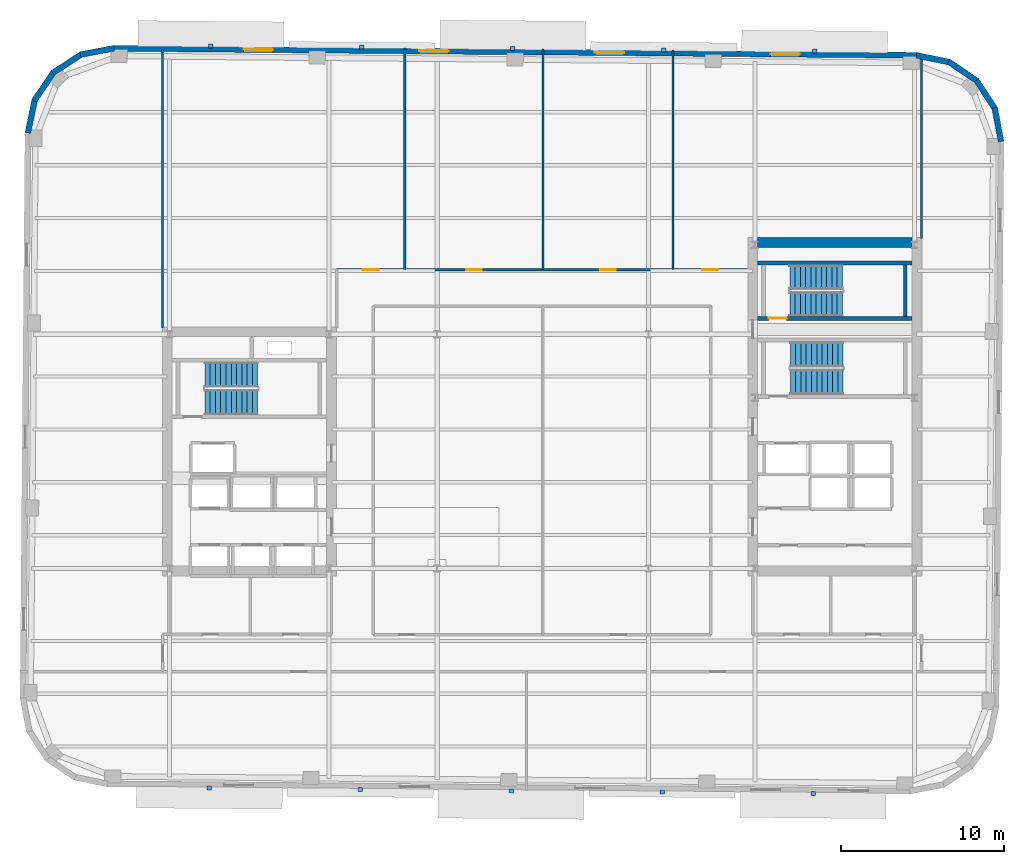
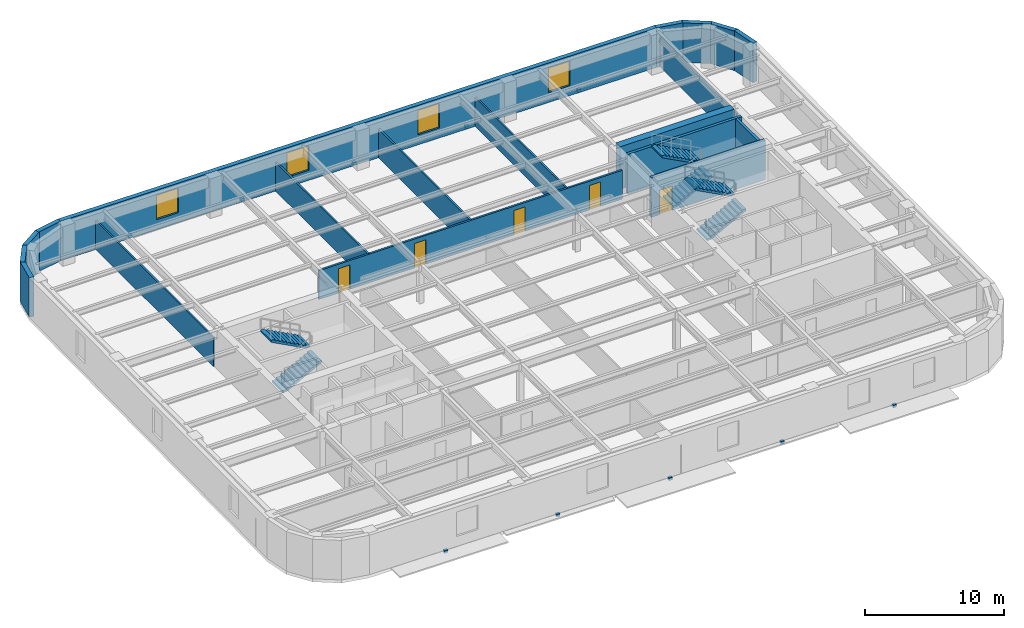
# One storey, part 6 of 10: 19 walls, 10 discrete accessories, 6 stair flights, 5 doors, 4 windows, 9 openings, 3 elements without a shape of their own.
"""IFC4 building model written with IfcOpenShell, lengths in metres."""

import ifcopenshell
import ifcopenshell.guid

model = None  # the IFC model being written
_history = None  # IfcOwnerHistory: only IFC2X3 demands one
_inside = {}  # id of a spatial element -> (the spatial element, [elements in it])
_under = {}  # id of a project, library or spatial element -> (it, [spatial elements below it])
_declared = {}  # id of a project -> (the project, [libraries it declares])
_typed = {}  # id of a type object -> (the type object, [elements of that type])
_made_of = {}  # id of a material, layer set ... -> (it, [elements and type objects made of it])


def new_model(schema):
    """Start an empty IFC model of exactly this schema.

    Asked for "IFC4X3", IfcOpenShell would pick the latest addendum, in which some entities
    have other attributes; the version numbers below select the first issue.
    IFC2X3 requires an IfcOwnerHistory on every rooted entity: one is made here for all.
    """
    global model, _history
    if schema == "IFC4X3":
        model = ifcopenshell.file(schema_version=(4, 3, 0, 0))
    else:
        model = ifcopenshell.file(schema=schema)
    _inside.clear()
    _under.clear()
    _declared.clear()
    _typed.clear()
    _made_of.clear()
    _history = None
    if model.schema == "IFC2X3":
        org = make("IfcOrganization", Name="unknown")
        user = make(
            "IfcPersonAndOrganization",
            ThePerson=make("IfcPerson", FamilyName="unknown"),
            TheOrganization=org,
        )
        app = make(
            "IfcApplication",
            ApplicationDeveloper=org,
            Version="unknown",
            ApplicationFullName="unknown",
            ApplicationIdentifier="unknown",
        )
        _history = make(
            "IfcOwnerHistory",
            OwningUser=user,
            OwningApplication=app,
            ChangeAction="ADDED",
            CreationDate=0,
        )
    return model


def make(cls, **values):
    """One entity of the class cls with the attributes given. An attribute that is None is left unset."""
    return model.create_entity(
        cls, **{name: value for name, value in values.items() if value is not None}
    )


def rooted(cls, **values):
    """An entity with a GlobalId (a new one), such as an element, a storey or a relation."""
    return make(cls, GlobalId=ifcopenshell.guid.new(), OwnerHistory=_history, **values)


def si_unit(unit_type, name, prefix=None):
    """IfcSIUnit, for example si_unit("LENGTHUNIT", "METRE", prefix="MILLI")."""
    return make("IfcSIUnit", UnitType=unit_type, Prefix=prefix, Name=name)


def assignment(units):
    """IfcUnitAssignment: the units of a project."""
    return None if units is None else make("IfcUnitAssignment", Units=units)


def point(xyz):
    """IfcCartesianPoint."""
    return None if xyz is None else make("IfcCartesianPoint", Coordinates=xyz)


def direction(xyz):
    """IfcDirection."""
    return None if xyz is None else make("IfcDirection", DirectionRatios=xyz)


def frame(location, z_axis=None, x_axis=None):
    """IfcAxis2Placement3D, a coordinate frame: its origin and axes. An axis left out is left unset."""
    return make(
        "IfcAxis2Placement3D",
        Location=point(location),
        Axis=direction(z_axis),
        RefDirection=direction(x_axis),
    )


def frame_2d(location, x_axis=None):
    """IfcAxis2Placement2D, a coordinate frame in the plane: its origin and x axis."""
    return make(
        "IfcAxis2Placement2D", Location=point(location), RefDirection=direction(x_axis)
    )


def origin():
    """The frame at (0, 0, 0) with its axes left unset."""
    return frame((0.0, 0.0, 0.0))


def origin_2d():
    """The frame at (0, 0) in the plane with its x axis left unset."""
    return frame_2d((0.0, 0.0))


def place(relative_to, where):
    """IfcLocalPlacement: puts the frame where relative to a parent placement (None: the world)."""
    return make(
        "IfcLocalPlacement", PlacementRelTo=relative_to, RelativePlacement=where
    )


def context(
    kind, dimensions, precision=None, world=None, true_north=None, identifier=None
):
    """IfcGeometricRepresentationContext, for example the 3D "Model" context."""
    return make(
        "IfcGeometricRepresentationContext",
        ContextIdentifier=identifier,
        ContextType=kind,
        CoordinateSpaceDimension=dimensions,
        Precision=precision,
        WorldCoordinateSystem=world,
        TrueNorth=true_north,
    )


def subcontext(parent, identifier, kind, view, scale=None):
    """IfcGeometricRepresentationSubContext, for example "Body" below "Model"."""
    return make(
        "IfcGeometricRepresentationSubContext",
        ContextIdentifier=identifier,
        ContextType=kind,
        ParentContext=parent,
        TargetScale=scale,
        TargetView=view,
    )


def project(units=None, contexts=None):
    """IfcProject with its units and contexts."""
    return rooted(
        "IfcProject",
        Name="project",
        RepresentationContexts=contexts,
        UnitsInContext=assignment(units),
    )


def spatial(cls, under=None, at=None, **own):
    """A site, building, storey or space (cls), placed at a placement, below another one or the project."""
    s = rooted(cls, ObjectPlacement=at, **own)
    if under is not None:
        _under.setdefault(under.id(), (under, []))[1].append(s)
    return s


def polyline(points):
    """IfcPolyline through the points."""
    return make("IfcPolyline", Points=[point(p) for p in points])


def profile(cls, at=None, kind="AREA", **sizes):
    """A parametric profile (cls). Its sizes go by their IFC names, for example OverallWidth=200.0."""
    return make(cls, ProfileType=kind, Position=at, **sizes)


def rectangle(**sizes):
    """IfcRectangleProfileDef."""
    return profile("IfcRectangleProfileDef", **sizes)


def outline(outer, holes=None, kind="AREA"):
    """IfcArbitraryClosedProfileDef: a profile drawn as a closed curve; with holes, ...WithVoids."""
    if holes is None:
        return make("IfcArbitraryClosedProfileDef", ProfileType=kind, OuterCurve=outer)
    return make(
        "IfcArbitraryProfileDefWithVoids",
        ProfileType=kind,
        OuterCurve=outer,
        InnerCurves=holes,
    )


def extrude(swept, where, along, depth):
    """IfcExtrudedAreaSolid: the profile swept, set in the frame where, extruded along a direction by depth."""
    return make(
        "IfcExtrudedAreaSolid",
        SweptArea=swept,
        Position=where,
        ExtrudedDirection=direction(along),
        Depth=depth,
    )


def shape(context_of_items, identifier, shape_type, items):
    """IfcShapeRepresentation: the items that make up one representation, for example the "Body"."""
    return make(
        "IfcShapeRepresentation",
        ContextOfItems=context_of_items,
        RepresentationIdentifier=identifier,
        RepresentationType=shape_type,
        Items=items,
    )


def material(Name=None, Category=None):
    """IfcMaterial."""
    return make("IfcMaterial", Name=Name, Category=Category)


def layer(
    of_material, thickness, ventilated=None, Name=None, Category=None, Priority=None
):
    """IfcMaterialLayer: one layer of a wall or slab, of a material (None: an air gap)."""
    return make(
        "IfcMaterialLayer",
        Material=of_material,
        LayerThickness=thickness,
        IsVentilated=ventilated,
        Name=Name,
        Category=Category,
        Priority=Priority,
    )


def layer_set(layers, Name=None):
    """IfcMaterialLayerSet."""
    return make("IfcMaterialLayerSet", MaterialLayers=layers, LayerSetName=Name)


def made_of(thing, what):
    """Note that an element or type object is made of a material, layer set ...; save() writes the relation."""
    if what is not None:
        _made_of.setdefault(what.id(), (what, []))[1].append(thing)
    return thing


def type_object(cls, material=None, **own):
    """A type object (cls), such as IfcWallType, which elements share."""
    return made_of(rooted(cls, **own), material)


def element(
    cls,
    number,
    at=None,
    inside=None,
    cuts=None,
    type_object=None,
    material=None,
    context=None,
    identifier="Body",
    shape_type=None,
    held_by="IfcProductDefinitionShape",
    body=None,
    shapes=None,
    **own,
):
    """One element of the class cls, such as IfcWall. Its Tag is "e" and its number.

    at: its placement. inside: the storey or other place that contains it. cuts: it is an
    opening in that element (IfcRelVoidsElement). A single representation is given by context,
    identifier, shape_type and body (its items); several are given by shapes. held_by: the class
    of the entity that holds the representations. save() writes the other relations.
    """
    e = rooted(cls, Tag="e%d" % number, ObjectPlacement=at, **own)
    if body is not None:
        shapes = [shape(context, identifier, shape_type, body)]
    if shapes is not None:
        e.Representation = make(held_by, Representations=shapes)
    if inside is not None:
        _inside.setdefault(inside.id(), (inside, []))[1].append(e)
    if cuts is not None:
        rooted(
            "IfcRelVoidsElement", RelatingBuildingElement=cuts, RelatedOpeningElement=e
        )
    if type_object is not None:
        _typed.setdefault(type_object.id(), (type_object, []))[1].append(e)
    return made_of(e, material)


def fill(opening, filler):
    """IfcRelFillsElement: the door or window that sits in an opening."""
    return rooted(
        "IfcRelFillsElement",
        RelatingOpeningElement=opening,
        RelatedBuildingElement=filler,
    )


def aggregate(whole, parts):
    """IfcRelAggregates: a whole, such as a stair, and the parts it consists of."""
    return rooted("IfcRelAggregates", RelatingObject=whole, RelatedObjects=parts)


def save(model, path):
    """Write the relations noted so far, then the file.

    IfcRelAggregates (storeys below a building ...), IfcRelContainedInSpatialStructure (elements
    in a storey), IfcRelDefinesByType, IfcRelAssociatesMaterial and IfcRelDeclares: one each for
    every whole, place, type object, material and project.
    """
    for whole, parts in _under.values():
        aggregate(whole, parts)
    for where, things in _inside.values():
        rooted(
            "IfcRelContainedInSpatialStructure",
            RelatedElements=things,
            RelatingStructure=where,
        )
    for kind, things in _typed.values():
        rooted("IfcRelDefinesByType", RelatedObjects=things, RelatingType=kind)
    for what, things in _made_of.values():
        rooted("IfcRelAssociatesMaterial", RelatedObjects=things, RelatingMaterial=what)
    for by, libraries in _declared.values():
        rooted("IfcRelDeclares", RelatingContext=by, RelatedDefinitions=libraries)
    model.write(path)


model = new_model("IFC4")

# Units and contexts
model_context = context("Model", 3, precision=1e-05, world=origin(), true_north=direction((0.0, 1.0)))
body_context = subcontext(model_context, "Body", "Model", "MODEL_VIEW")
ifc_project = project(units=[si_unit("LENGTHUNIT", "METRE"), si_unit("AREAUNIT", "SQUARE_METRE"), si_unit("VOLUMEUNIT", "CUBIC_METRE"), si_unit("PLANEANGLEUNIT", "RADIAN"), si_unit("MASSUNIT", "GRAM", prefix="KILO")], contexts=[model_context])

# Site, building, storey
site_placement = place(None, origin())
site = spatial("IfcSite", under=ifc_project, at=site_placement, CompositionType="ELEMENT")
building_placement = place(site_placement, origin())
building = spatial("IfcBuilding", under=site, at=building_placement, Name="Kolvaren Arena Tower", CompositionType="ELEMENT")
storey_placement = place(building_placement, frame((0.0, 0.0, 192.199951171875)))
storey = spatial("IfcBuildingStorey", under=building, at=storey_placement, Name="L46", CompositionType="ELEMENT", Elevation=192.199951171875)

# Wall, openings, doors
ifc_material_1 = material(Name="Gypsum board acoustic assembly", Category="gypsum")
ifc_layer_1 = layer(ifc_material_1, 0.159912109375)
ifc_layer_set_1 = layer_set([ifc_layer_1], Name="Gypsum board acoustic assembly")
wall_type_1 = type_object("IfcWallType", Name="CORR-160", PredefinedType="PARTITIONING", material=ifc_layer_set_1)
wall_1_placement = place(storey_placement, frame((24.820068359375, 37.820068359375, 0.0), z_axis=(0.0, 0.0, 1.0), x_axis=(1.0, 0.0, 0.0)))
wall_1 = element("IfcWall", 1, at=wall_1_placement, inside=storey, type_object=wall_type_1, Name="Interior Partition Wall (L46)", PredefinedType="PARTITIONING", context=body_context, shape_type="SweptSolid", body=[
    extrude(rectangle(XDim=25.260009765625, YDim=0.159912109375, at=frame_2d((12.6298828125, 0.0))), origin(), (0.0, 0.0, 1.0), 2.5400390625),
])
opening_1_placement = place(wall_1_placement, frame((1.6298828125, 0.0, 0.0)))
opening_1 = element("IfcOpeningElement", 2, at=opening_1_placement, cuts=wall_1, Name="Opening D05", PredefinedType="OPENING", context=body_context, shape_type="SweptSolid", body=[
    extrude(rectangle(XDim=0.949951171875, YDim=2.14990234375, at=frame_2d((0.47509765625, 1.074951171875))), frame((0.0, 0.08984375, 0.0), z_axis=(0.0, -1.0, 0.0), x_axis=(1.0, 0.0, 0.0)), (0.0, 0.0, 1.0), 0.179931640625),
])
opening_2_placement = place(wall_1_placement, frame((7.955078125, 0.0, 0.0)))
opening_2 = element("IfcOpeningElement", 3, at=opening_2_placement, cuts=wall_1, Name="Opening D05", PredefinedType="OPENING", context=body_context, shape_type="SweptSolid", body=[
    extrude(rectangle(XDim=0.949951171875, YDim=2.14990234375, at=frame_2d((0.47509765625, 1.074951171875))), frame((0.0, 0.08984375, 0.0), z_axis=(0.0, -1.0, 0.0), x_axis=(1.0, 0.0, 0.0)), (0.0, 0.0, 1.0), 0.179931640625),
])
opening_3_placement = place(wall_1_placement, frame((16.205078125, 0.0, 0.0)))
opening_3 = element("IfcOpeningElement", 4, at=opening_3_placement, cuts=wall_1, Name="Opening D05", PredefinedType="OPENING", context=body_context, shape_type="SweptSolid", body=[
    extrude(rectangle(XDim=0.949951171875, YDim=2.14990234375, at=frame_2d((0.47509765625, 1.074951171875))), frame((0.0, 0.08984375, 0.0), z_axis=(0.0, -1.0, 0.0), x_axis=(1.0, 0.0, 0.0)), (0.0, 0.0, 1.0), 0.179931640625),
])
opening_4_placement = place(wall_1_placement, frame((22.47998046875, 0.0, 0.0)))
opening_4 = element("IfcOpeningElement", 5, at=opening_4_placement, cuts=wall_1, Name="Opening D05", PredefinedType="OPENING", context=body_context, shape_type="SweptSolid", body=[
    extrude(rectangle(XDim=0.949951171875, YDim=2.14990234375, at=frame_2d((0.47509765625, 1.074951171875))), frame((0.0, 0.08984375, 0.0), z_axis=(0.0, -1.0, 0.0), x_axis=(1.0, 0.0, 0.0)), (0.0, 0.0, 1.0), 0.179931640625),
])
ifc_material_2 = material(Name="Solid-core oak acoustic office door", Category="wood")
door_type_1 = type_object("IfcDoorType", Name="DOOR-OF-095", OperationType="NOTDEFINED", PredefinedType="DOOR", material=ifc_material_2)
door_1_placement = place(opening_1_placement, origin())
door_1 = element("IfcDoor", 6, at=door_1_placement, inside=storey, type_object=door_type_1, Name="Wellness Room Door (L46)", OperationType="SINGLE_SWING_RIGHT", OverallHeight=2.14990234375, OverallWidth=0.949951171875, PredefinedType="DOOR", context=body_context, shape_type="SweptSolid", body=[
    extrude(rectangle(XDim=0.949951171875, YDim=2.14990234375, at=frame_2d((0.47509765625, 1.074951171875))), frame((0.0, 0.02490234375, 0.0), z_axis=(0.0, -1.0, 0.0), x_axis=(1.0, 0.0, 0.0)), (0.0, 0.0, 1.0), 0.050048828125),
])
fill(opening_1, door_1)
door_2_placement = place(opening_2_placement, origin())
door_2 = element("IfcDoor", 7, at=door_2_placement, inside=storey, type_object=door_type_1, Name="Corporate Project Office Door (L46)", OperationType="SINGLE_SWING_LEFT", OverallHeight=2.14990234375, OverallWidth=0.949951171875, PredefinedType="DOOR", context=body_context, shape_type="SweptSolid", body=[
    extrude(rectangle(XDim=0.949951171875, YDim=2.14990234375, at=frame_2d((0.47509765625, 1.074951171875))), frame((0.0, 0.02490234375, 0.0), z_axis=(0.0, -1.0, 0.0), x_axis=(1.0, 0.0, 0.0)), (0.0, 0.0, 1.0), 0.050048828125),
])
fill(opening_2, door_2)
door_3_placement = place(opening_3_placement, origin())
door_3 = element("IfcDoor", 8, at=door_3_placement, inside=storey, type_object=door_type_1, Name="Breakout Pantry and Kitchen Door (L46)", OperationType="SINGLE_SWING_RIGHT", OverallHeight=2.14990234375, OverallWidth=0.949951171875, PredefinedType="DOOR", context=body_context, shape_type="SweptSolid", body=[
    extrude(rectangle(XDim=0.949951171875, YDim=2.14990234375, at=frame_2d((0.47509765625, 1.074951171875))), frame((0.0, 0.02490234375, 0.0), z_axis=(0.0, -1.0, 0.0), x_axis=(1.0, 0.0, 0.0)), (0.0, 0.0, 1.0), 0.050048828125),
])
fill(opening_3, door_3)
door_4_placement = place(opening_4_placement, origin())
door_4 = element("IfcDoor", 9, at=door_4_placement, inside=storey, type_object=door_type_1, Name="Training Seminar Room Door (L46)", OperationType="SINGLE_SWING_LEFT", OverallHeight=2.14990234375, OverallWidth=0.949951171875, PredefinedType="DOOR", context=body_context, shape_type="SweptSolid", body=[
    extrude(rectangle(XDim=0.949951171875, YDim=2.14990234375, at=frame_2d((0.47509765625, 1.074951171875))), frame((0.0, 0.02490234375, 0.0), z_axis=(0.0, -1.0, 0.0), x_axis=(1.0, 0.0, 0.0)), (0.0, 0.0, 1.0), 0.050048828125),
])
fill(opening_4, door_4)

# Walls
ifc_material_3 = material(Name="Concrete 60 MPa", Category="concrete")
ifc_layer_2 = layer(ifc_material_3, 0.60009765625)
ifc_layer_set_2 = layer_set([ifc_layer_2], Name="Concrete 60 MPa")
wall_type_2 = type_object("IfcWallType", Name="CWALL-600", PredefinedType="SHEAR", material=ifc_layer_set_2)
wall_2_placement = place(storey_placement, frame((50.699951171875, 39.5, -0.27001953125), z_axis=(0.0, 0.0, 1.0), x_axis=(1.0, 0.0, 0.0)))
element("IfcWall", 10, at=wall_2_placement, inside=storey, type_object=wall_type_2, Name="Core Shear Wall EC-NORTH (L46)", PredefinedType="SHEAR", context=body_context, shape_type="SweptSolid", body=[
    extrude(rectangle(XDim=9.5, YDim=0.60009765625, at=frame_2d((4.75, 0.0))), origin(), (0.0, 0.0, 1.0), 3.75),
])
ifc_material_4 = material(Name="Precast concrete C50/60", Category="concrete")
ifc_layer_3 = layer(ifc_material_4, 0.360107421875)
ifc_layer_set_3 = layer_set([ifc_layer_3], Name="Precast concrete C50/60")
wall_type_3 = type_object("IfcWallType", Name="EXT-PIER2", PredefinedType="SOLIDWALL", material=ifc_layer_set_3)
wall_3_placement = place(storey_placement, frame((65.281005859375, 47.773193359375, 0.0), z_axis=(0.0, 0.0, 1.0), x_axis=(0.186435855703, -0.98246713518, 0.0)))
element("IfcWall", 11, at=wall_3_placement, inside=storey, type_object=wall_type_3, Name="Exterior Precast Masonry-Frame Wall (L46)", PredefinedType="SOLIDWALL", context=body_context, shape_type="SweptSolid", body=[
    extrude(rectangle(XDim=2.10693359375, YDim=0.360107421875, at=frame_2d((1.053466796875, 0.0))), origin(), (0.0, 0.0, 1.0), 3.47998046875),
])
wall_4_placement = place(storey_placement, frame((64.152099609375, 49.469970703125, 0.0), z_axis=(0.0, 0.0, 1.0), x_axis=(0.548238722478, -0.83632188969, 0.0)))
element("IfcWall", 12, at=wall_4_placement, inside=storey, type_object=wall_type_3, Name="Exterior Precast Masonry-Frame Wall (L46)", PredefinedType="SOLIDWALL", context=body_context, shape_type="SweptSolid", body=[
    extrude(rectangle(XDim=2.106689453125, YDim=0.360107421875, at=frame_2d((1.05322265625, 0.0))), origin(), (0.0, 0.0, 1.0), 3.47998046875),
])
wall_5_placement = place(storey_placement, frame((62.45947265625, 50.605712890625, 0.0), z_axis=(0.0, 0.0, 1.0), x_axis=(0.826609569219, -0.56277581689, 0.0)))
element("IfcWall", 13, at=wall_5_placement, inside=storey, type_object=wall_type_3, Name="Exterior Precast Masonry-Frame Wall (L46)", PredefinedType="SOLIDWALL", context=body_context, shape_type="SweptSolid", body=[
    extrude(rectangle(XDim=2.10693359375, YDim=0.360107421875, at=frame_2d((1.053466796875, 0.0))), origin(), (0.0, 0.0, 1.0), 3.47998046875),
])
wall_6_placement = place(storey_placement, frame((60.461181640625, 51.00732421875, 0.0), z_axis=(0.0, 0.0, 1.0), x_axis=(0.979059388908, -0.203574833883, 0.0)))
element("IfcWall", 14, at=wall_6_placement, inside=storey, type_object=wall_type_3, Name="Exterior Precast Masonry-Frame Wall (L46)", PredefinedType="SOLIDWALL", context=body_context, shape_type="SweptSolid", body=[
    extrude(rectangle(XDim=2.107177734375, YDim=0.360107421875, at=frame_2d((1.0537109375, 0.0))), origin(), (0.0, 0.0, 1.0), 3.47998046875),
])

# Wall, openings, windows
wall_7_placement = place(storey_placement, frame((11.098388671875, 51.434814453125, 0.0), z_axis=(0.0, 0.0, 1.0), x_axis=(0.99996191194, -0.008727810138, 0.0)))
wall_7 = element("IfcWall", 15, at=wall_7_placement, inside=storey, type_object=wall_type_3, Name="Exterior Precast Masonry-Frame Wall (L46)", PredefinedType="SOLIDWALL", context=body_context, shape_type="SweptSolid", body=[
    extrude(rectangle(XDim=49.39990234375, YDim=0.360107421875, at=frame_2d((24.699951171875, 0.0))), origin(), (0.0, 0.0, 1.0), 3.47998046875),
])
opening_5_placement = place(wall_7_placement, frame((8.0, 0.0, 0.8798828125)))
opening_5 = element("IfcOpeningElement", 16, at=opening_5_placement, cuts=wall_7, Name="Opening W02", PredefinedType="OPENING", context=body_context, shape_type="SweptSolid", body=[
    extrude(rectangle(XDim=1.800048828125, YDim=2.14990234375, at=frame_2d((0.89990234375, 1.074951171875))), frame((0.0, 0.18994140625, 0.0), z_axis=(0.0, -1.0, 0.0), x_axis=(1.0, 0.0, 0.0)), (0.0, 0.0, 1.0), 0.380126953125),
])
opening_6_placement = place(wall_7_placement, frame((18.800048828125, 0.0, 0.8798828125)))
opening_6 = element("IfcOpeningElement", 17, at=opening_6_placement, cuts=wall_7, Name="Opening W02", PredefinedType="OPENING", context=body_context, shape_type="SweptSolid", body=[
    extrude(rectangle(XDim=1.800048828125, YDim=2.14990234375, at=frame_2d((0.89990234375, 1.074951171875))), frame((0.0, 0.18994140625, 0.0), z_axis=(0.0, -1.0, 0.0), x_axis=(1.0, 0.0, 0.0)), (0.0, 0.0, 1.0), 0.380126953125),
])
opening_7_placement = place(wall_7_placement, frame((29.60009765625, 0.0, 0.8798828125)))
opening_7 = element("IfcOpeningElement", 18, at=opening_7_placement, cuts=wall_7, Name="Opening W02", PredefinedType="OPENING", context=body_context, shape_type="SweptSolid", body=[
    extrude(rectangle(XDim=1.800048828125, YDim=2.14990234375, at=frame_2d((0.89990234375, 1.074951171875))), frame((0.0, 0.18994140625, 0.0), z_axis=(0.0, -1.0, 0.0), x_axis=(1.0, 0.0, 0.0)), (0.0, 0.0, 1.0), 0.380126953125),
])
opening_8_placement = place(wall_7_placement, frame((40.39990234375, 0.0, 0.8798828125)))
opening_8 = element("IfcOpeningElement", 19, at=opening_8_placement, cuts=wall_7, Name="Opening W02", PredefinedType="OPENING", context=body_context, shape_type="SweptSolid", body=[
    extrude(rectangle(XDim=1.800048828125, YDim=2.14990234375, at=frame_2d((0.89990234375, 1.074951171875))), frame((0.0, 0.18994140625, 0.0), z_axis=(0.0, -1.0, 0.0), x_axis=(1.0, 0.0, 0.0)), (0.0, 0.0, 1.0), 0.380126953125),
])
ifc_material_5 = material(Name="Triple-glazed low-E aluminium window", Category="aluminium")
window_type = type_object("IfcWindowType", Name="WIN-OFF-B", PartitioningType="DOUBLE_PANEL_VERTICAL", PredefinedType="WINDOW", material=ifc_material_5)
window_1_placement = place(opening_5_placement, origin())
window_1 = element("IfcWindow", 20, at=window_1_placement, inside=storey, type_object=window_type, Name="Punched Precast-Pier Window (L46)", OverallHeight=2.14990234375, OverallWidth=1.800048828125, PartitioningType="DOUBLE_PANEL_VERTICAL", PredefinedType="WINDOW", context=body_context, shape_type="SweptSolid", body=[
    extrude(rectangle(XDim=1.800048828125, YDim=2.14990234375, at=frame_2d((0.89990234375, 1.074951171875))), frame((0.0, 0.030029296875, 0.0), z_axis=(0.0, -1.0, 0.0), x_axis=(1.0, 0.0, 0.0)), (0.0, 0.0, 1.0), 0.06005859375),
])
fill(opening_5, window_1)
window_2_placement = place(opening_6_placement, origin())
window_2 = element("IfcWindow", 21, at=window_2_placement, inside=storey, type_object=window_type, Name="Punched Precast-Pier Window (L46)", OverallHeight=2.14990234375, OverallWidth=1.800048828125, PartitioningType="DOUBLE_PANEL_VERTICAL", PredefinedType="WINDOW", context=body_context, shape_type="SweptSolid", body=[
    extrude(rectangle(XDim=1.800048828125, YDim=2.14990234375, at=frame_2d((0.89990234375, 1.074951171875))), frame((0.0, 0.030029296875, 0.0), z_axis=(0.0, -1.0, 0.0), x_axis=(1.0, 0.0, 0.0)), (0.0, 0.0, 1.0), 0.06005859375),
])
fill(opening_6, window_2)
window_3_placement = place(opening_7_placement, origin())
window_3 = element("IfcWindow", 22, at=window_3_placement, inside=storey, type_object=window_type, Name="Punched Precast-Pier Window (L46)", OverallHeight=2.14990234375, OverallWidth=1.800048828125, PartitioningType="DOUBLE_PANEL_VERTICAL", PredefinedType="WINDOW", context=body_context, shape_type="SweptSolid", body=[
    extrude(rectangle(XDim=1.800048828125, YDim=2.14990234375, at=frame_2d((0.89990234375, 1.074951171875))), frame((0.0, 0.030029296875, 0.0), z_axis=(0.0, -1.0, 0.0), x_axis=(1.0, 0.0, 0.0)), (0.0, 0.0, 1.0), 0.06005859375),
])
fill(opening_7, window_3)
window_4_placement = place(opening_8_placement, origin())
window_4 = element("IfcWindow", 23, at=window_4_placement, inside=storey, type_object=window_type, Name="Punched Precast-Pier Window (L46)", OverallHeight=2.14990234375, OverallWidth=1.800048828125, PartitioningType="DOUBLE_PANEL_VERTICAL", PredefinedType="WINDOW", context=body_context, shape_type="SweptSolid", body=[
    extrude(rectangle(XDim=1.800048828125, YDim=2.14990234375, at=frame_2d((0.89990234375, 1.074951171875))), frame((0.0, 0.030029296875, 0.0), z_axis=(0.0, -1.0, 0.0), x_axis=(1.0, 0.0, 0.0)), (0.0, 0.0, 1.0), 0.06005859375),
])
fill(opening_8, window_4)

# Walls
wall_8_placement = place(storey_placement, frame((9.0634765625, 51.044921875, 0.0), z_axis=(0.0, 0.0, 1.0), x_axis=(0.982445905584, 0.186547695246, 0.0)))
element("IfcWall", 24, at=wall_8_placement, inside=storey, type_object=wall_type_3, Name="Exterior Precast Masonry-Frame Wall (L46)", PredefinedType="SOLIDWALL", context=body_context, shape_type="SweptSolid", body=[
    extrude(rectangle(XDim=2.107177734375, YDim=0.360107421875, at=frame_2d((1.0537109375, 0.0))), origin(), (0.0, 0.0, 1.0), 3.47998046875),
])
for number, where, z_axis, x_axis, name in (
    (25, (7.36669921875, 49.916015625, 0.0), (0.0, 0.0, 1.0), (0.836268756678, 0.548319766745, 0.0), "Exterior Precast Masonry-Frame Wall (L46)"),
    (26, (6.23095703125, 48.223388671875, 0.0), (0.0, 0.0, 1.0), (0.56277581689, 0.826609569219, 0.0), "Exterior Precast Masonry-Frame Wall (L46)"),
    (27, (5.8291015625, 46.225341796875, 0.0), (0.0, 0.0, 1.0), (0.203709000552, 0.979031482177, 0.0), "Exterior Precast Masonry-Frame Wall (L46)"),
):
    element("IfcWall", number, at=place(storey_placement, frame(where, z_axis=z_axis, x_axis=x_axis)), inside=storey, type_object=wall_type_3, Name=name, PredefinedType="SOLIDWALL", context=body_context, shape_type="SweptSolid", body=[
        extrude(rectangle(XDim=2.10693359375, YDim=0.360107421875, at=frame_2d((1.053466796875, 0.0))), origin(), (0.0, 0.0, 1.0), 3.47998046875),
    ])
ifc_material_6 = material(Name="Gypsum board partition assembly", Category="gypsum")
ifc_layer_4 = layer(ifc_material_6, 0.135009765625)
ifc_layer_set_4 = layer_set([ifc_layer_4], Name="Gypsum board partition assembly")
wall_type_4 = type_object("IfcWallType", Name="PART-135", PredefinedType="PARTITIONING", material=ifc_layer_set_4)
wall_9_placement = place(storey_placement, frame((29.0, 37.820068359375, 0.0), z_axis=(0.0, 0.0, 1.0), x_axis=(0.0, 1.0, 0.0)))
element("IfcWall", 28, at=wall_9_placement, inside=storey, type_object=wall_type_4, Name="Interior Partition Wall (L46)", PredefinedType="PARTITIONING", context=body_context, shape_type="SweptSolid", body=[
    extrude(rectangle(XDim=13.638427734375, YDim=0.135009765625, at=frame_2d((6.8193359375, 0.0))), origin(), (0.0, 0.0, 1.0), 2.5400390625),
])
wall_10_placement = place(storey_placement, frame((37.5, 37.820068359375, 0.0), z_axis=(0.0, 0.0, 1.0), x_axis=(0.0, 1.0, 0.0)))
element("IfcWall", 29, at=wall_10_placement, inside=storey, type_object=wall_type_4, Name="Interior Partition Wall (L46)", PredefinedType="PARTITIONING", context=body_context, shape_type="SweptSolid", body=[
    extrude(rectangle(XDim=13.564208984375, YDim=0.135009765625, at=frame_2d((6.7822265625, 0.0))), origin(), (0.0, 0.0, 1.0), 2.5400390625),
])
wall_11_placement = place(storey_placement, frame((45.5, 37.820068359375, 0.0), z_axis=(0.0, 0.0, 1.0), x_axis=(0.0, 1.0, 0.0)))
element("IfcWall", 30, at=wall_11_placement, inside=storey, type_object=wall_type_4, Name="Interior Partition Wall (L46)", PredefinedType="PARTITIONING", context=body_context, shape_type="SweptSolid", body=[
    extrude(rectangle(XDim=13.494384765625, YDim=0.135009765625, at=frame_2d((6.7470703125, 0.0))), origin(), (0.0, 0.0, 1.0), 2.5400390625),
])
wall_12_placement = place(storey_placement, frame((14.1201171875, 34.25, 0.0), z_axis=(0.0, 0.0, 1.0), x_axis=(0.0, 1.0, 0.0)))
element("IfcWall", 31, at=wall_12_placement, inside=storey, type_object=wall_type_4, Name="Interior Partition Wall (L46)", PredefinedType="PARTITIONING", context=body_context, shape_type="SweptSolid", body=[
    extrude(rectangle(XDim=17.098388671875, YDim=0.135009765625, at=frame_2d((8.54931640625, 0.0))), origin(), (0.0, 0.0, 1.0), 2.5400390625),
])
wall_13_placement = place(storey_placement, frame((60.780029296875, 39.75, 0.0), z_axis=(0.0, 0.0, 1.0), x_axis=(0.0, 1.0, 0.0)))
element("IfcWall", 32, at=wall_13_placement, inside=storey, type_object=wall_type_4, Name="Interior Partition Wall (L46)", PredefinedType="PARTITIONING", context=body_context, shape_type="SweptSolid", body=[
    extrude(rectangle(XDim=11.1298828125, YDim=0.135009765625, at=frame_2d((5.56494140625, 0.0))), origin(), (0.0, 0.0, 1.0), 2.5400390625),
])

# Wall, opening, door
ifc_material_7 = material(Name="Concrete 45 MPa", Category="concrete")
ifc_layer_5 = layer(ifc_material_7, 0.25)
ifc_layer_set_5 = layer_set([ifc_layer_5], Name="Concrete 45 MPa")
wall_type_5 = type_object("IfcWallType", Name="SHAFT-250", PredefinedType="SOLIDWALL", material=ifc_layer_set_5)
wall_14_placement = place(storey_placement, frame((60.199951171875, 34.830078125, 0.0), z_axis=(0.0, 0.0, 1.0), x_axis=(-1.0, 0.0, 0.0)))
wall_14 = element("IfcWall", 33, at=wall_14_placement, inside=storey, type_object=wall_type_5, Name="Core Shaft Wall (L46)", PredefinedType="SOLIDWALL", context=body_context, shape_type="SweptSolid", body=[
    extrude(rectangle(XDim=9.5, YDim=0.239990234375, at=frame_2d((4.75, 0.0))), origin(), (0.0, 0.0, 1.0), 3.47998046875),
])
opening_9_placement = place(wall_14_placement, frame((7.719970703125, 0.0, 0.0)))
opening_9 = element("IfcOpeningElement", 34, at=opening_9_placement, cuts=wall_14, Name="Opening D03", PredefinedType="OPENING", context=body_context, shape_type="SweptSolid", body=[
    extrude(rectangle(XDim=1.10009765625, YDim=2.14990234375, at=frame_2d((0.550048828125, 1.074951171875))), frame((0.0, 0.1298828125, 0.0), z_axis=(0.0, -1.0, 0.0), x_axis=(1.0, 0.0, 0.0)), (0.0, 0.0, 1.0), 0.260009765625),
])
ifc_material_8 = material(Name="Fire-rated steel exit stair door", Category="steel")
door_type_2 = type_object("IfcDoorType", Name="DOOR-ST-110", OperationType="NOTDEFINED", PredefinedType="DOOR", material=ifc_material_8)
door_5_placement = place(opening_9_placement, origin())
door_5 = element("IfcDoor", 35, at=door_5_placement, inside=storey, type_object=door_type_2, Name="Stair ST-E2 Fire Door (L46)", OperationType="SINGLE_SWING_LEFT", OverallHeight=2.14990234375, OverallWidth=1.10009765625, PredefinedType="DOOR", context=body_context, shape_type="SweptSolid", body=[
    extrude(rectangle(XDim=1.10009765625, YDim=2.14990234375, at=frame_2d((0.550048828125, 1.074951171875))), frame((0.0, 0.02490234375, 0.0), z_axis=(0.0, -1.0, 0.0), x_axis=(1.0, 0.0, 0.0)), (0.0, 0.0, 1.0), 0.050048828125),
])
fill(opening_9, door_5)

# Walls
wall_15_placement = place(storey_placement, frame((50.699951171875, 38.219970703125, 0.0), z_axis=(0.0, 0.0, 1.0), x_axis=(1.0, 0.0, 0.0)))
element("IfcWall", 36, at=wall_15_placement, inside=storey, type_object=wall_type_5, Name="Core Shaft Wall (L46)", PredefinedType="SOLIDWALL", context=body_context, shape_type="SweptSolid", body=[
    extrude(rectangle(XDim=9.5, YDim=0.239990234375, at=frame_2d((4.75, 0.0))), origin(), (0.0, 0.0, 1.0), 3.47998046875),
])
wall_16_placement = place(storey_placement, frame((59.780029296875, 34.949951171875, 0.0), z_axis=(0.0, 0.0, 1.0), x_axis=(0.0, 1.0, 0.0)))
element("IfcWall", 37, at=wall_16_placement, inside=storey, type_object=wall_type_5, Name="Core Shaft Wall (L46)", PredefinedType="SOLIDWALL", context=body_context, shape_type="SweptSolid", body=[
    extrude(rectangle(XDim=3.150146484375, YDim=0.239990234375, at=frame_2d((1.5751953125, 0.0))), origin(), (0.0, 0.0, 1.0), 3.47998046875),
])

# Stair, stair flights
stair_type_1 = type_object("IfcStairType", Name="STAIR-CORE-150", PredefinedType="HALF_TURN_STAIR", material=ifc_material_7)
stair_1_placement = place(storey_placement, origin())
stair_1 = element("IfcStair", 38, at=stair_1_placement, inside=storey, type_object=stair_type_1, Name="L46 ST-E2", PredefinedType="HALF_TURN_STAIR")
stair_flight_type_1 = type_object("IfcStairFlightType", Name="FLT-150", PredefinedType="STRAIGHT", material=ifc_material_7)
stair_flight_1_placement = place(storey_placement, frame((52.679931640625, 35.699951171875, 0.0), z_axis=(0.0, 0.0, 1.0), x_axis=(1.0, 0.0, 0.0)))
stair_flight_1 = element("IfcStairFlight", 39, at=stair_flight_1_placement, type_object=stair_flight_type_1, Name="ST-E2 flight 1", NumberOfRisers=11, NumberOfTreads=10, PredefinedType="STRAIGHT", RiserHeight=0.170454545, TreadLength=0.324, context=body_context, shape_type="SweptSolid", body=[
    extrude(outline(polyline([(0.0, 0.0), (0.0, 0.17041015625), (0.323974609375, 0.17041015625), (0.323974609375, 0.3408203125), (0.64794921875, 0.3408203125), (0.64794921875, 0.511474609375), (0.971923828125, 0.511474609375), (0.971923828125, 0.681884765625), (1.2958984375, 0.681884765625), (1.2958984375, 0.852294921875), (1.6201171875, 0.852294921875), (1.6201171875, 1.022705078125), (1.944091796875, 1.022705078125), (1.944091796875, 1.193115234375), (2.26806640625, 1.193115234375), (2.26806640625, 1.363525390625), (2.592041015625, 1.363525390625), (2.592041015625, 1.5341796875), (2.916015625, 1.5341796875), (2.916015625, 1.70458984375), (3.239990234375, 1.70458984375), (3.239990234375, 1.875), (3.239990234375, 1.53515625), (0.322021484375, 0.0), (0.0, 0.0)])), frame((0.0, 0.75, 0.0), z_axis=(0.0, -1.0, 0.0), x_axis=(1.0, 0.0, 0.0)), (0.0, 0.0, 1.0), 1.5),
])
stair_flight_2_placement = place(storey_placement, frame((55.919921875, 37.35009765625, 1.875), z_axis=(0.0, 0.0, 1.0), x_axis=(-1.0, 0.0, 0.0)))
stair_flight_2 = element("IfcStairFlight", 40, at=stair_flight_2_placement, type_object=stair_flight_type_1, Name="ST-E2 flight 2", NumberOfRisers=11, NumberOfTreads=10, PredefinedType="STRAIGHT", RiserHeight=0.170454545, TreadLength=0.324, context=body_context, shape_type="SweptSolid", body=[
    extrude(outline(polyline([(0.0, 0.0), (0.0, 0.17041015625), (0.323974609375, 0.17041015625), (0.323974609375, 0.3408203125), (0.64794921875, 0.3408203125), (0.64794921875, 0.511474609375), (0.971923828125, 0.511474609375), (0.971923828125, 0.681884765625), (1.2958984375, 0.681884765625), (1.2958984375, 0.852294921875), (1.6201171875, 0.852294921875), (1.6201171875, 1.022705078125), (1.944091796875, 1.022705078125), (1.944091796875, 1.193115234375), (2.26806640625, 1.193115234375), (2.26806640625, 1.363525390625), (2.592041015625, 1.363525390625), (2.592041015625, 1.5341796875), (2.916015625, 1.5341796875), (2.916015625, 1.70458984375), (3.239990234375, 1.70458984375), (3.239990234375, 1.875), (3.239990234375, 1.53515625), (0.322021484375, 0.0), (0.0, 0.0)])), frame((0.0, 0.75, 0.0), z_axis=(0.0, -1.0, 0.0), x_axis=(1.0, 0.0, 0.0)), (0.0, 0.0, 1.0), 1.5),
])
aggregate(stair_1, [stair_flight_1, stair_flight_2])

stair_type_2 = type_object("IfcStairType", Name="STAIR-CORE-165", PredefinedType="HALF_TURN_STAIR", material=ifc_material_7)
stair_2_placement = place(storey_placement, origin())
stair_2 = element("IfcStair", 41, at=stair_2_placement, inside=storey, type_object=stair_type_2, Name="L46 ST-W1", PredefinedType="HALF_TURN_STAIR")
stair_flight_type_2 = type_object("IfcStairFlightType", Name="FLT-165", PredefinedType="STRAIGHT", material=ifc_material_7)
stair_flight_3_placement = place(storey_placement, frame((16.719970703125, 29.669921875, 0.0), z_axis=(0.0, 0.0, 1.0), x_axis=(1.0, 0.0, 0.0)))
stair_flight_3 = element("IfcStairFlight", 42, at=stair_flight_3_placement, type_object=stair_flight_type_2, Name="ST-W1 flight 1", NumberOfRisers=11, NumberOfTreads=10, PredefinedType="STRAIGHT", RiserHeight=0.170454545, TreadLength=0.324, context=body_context, shape_type="SweptSolid", body=[
    extrude(outline(polyline([(0.0, 0.0), (0.0, 0.17041015625), (0.323974609375, 0.17041015625), (0.323974609375, 0.3408203125), (0.64794921875, 0.3408203125), (0.64794921875, 0.511474609375), (0.971923828125, 0.511474609375), (0.971923828125, 0.681884765625), (1.2958984375, 0.681884765625), (1.2958984375, 0.852294921875), (1.6201171875, 0.852294921875), (1.6201171875, 1.022705078125), (1.944091796875, 1.022705078125), (1.944091796875, 1.193115234375), (2.26806640625, 1.193115234375), (2.26806640625, 1.363525390625), (2.592041015625, 1.363525390625), (2.592041015625, 1.5341796875), (2.916015625, 1.5341796875), (2.916015625, 1.70458984375), (3.239990234375, 1.70458984375), (3.239990234375, 1.875), (3.239990234375, 1.53515625), (0.322021484375, 0.0), (0.0, 0.0)])), frame((0.0, 0.77001953125, 0.0), z_axis=(0.0, -1.0, 0.0), x_axis=(1.0, 0.0, 0.0)), (0.0, 0.0, 1.0), 1.5400390625),
])
stair_flight_4_placement = place(storey_placement, frame((19.9599609375, 31.360107421875, 1.875), z_axis=(0.0, 0.0, 1.0), x_axis=(-1.0, 0.0, 0.0)))
stair_flight_4 = element("IfcStairFlight", 43, at=stair_flight_4_placement, type_object=stair_flight_type_2, Name="ST-W1 flight 2", NumberOfRisers=11, NumberOfTreads=10, PredefinedType="STRAIGHT", RiserHeight=0.170454545, TreadLength=0.324, context=body_context, shape_type="SweptSolid", body=[
    extrude(outline(polyline([(0.0, 0.0), (0.0, 0.17041015625), (0.323974609375, 0.17041015625), (0.323974609375, 0.3408203125), (0.64794921875, 0.3408203125), (0.64794921875, 0.511474609375), (0.971923828125, 0.511474609375), (0.971923828125, 0.681884765625), (1.2958984375, 0.681884765625), (1.2958984375, 0.852294921875), (1.6201171875, 0.852294921875), (1.6201171875, 1.022705078125), (1.944091796875, 1.022705078125), (1.944091796875, 1.193115234375), (2.26806640625, 1.193115234375), (2.26806640625, 1.363525390625), (2.592041015625, 1.363525390625), (2.592041015625, 1.5341796875), (2.916015625, 1.5341796875), (2.916015625, 1.70458984375), (3.239990234375, 1.70458984375), (3.239990234375, 1.875), (3.239990234375, 1.53515625), (0.322021484375, 0.0), (0.0, 0.0)])), frame((0.0, 0.77001953125, 0.0), z_axis=(0.0, -1.0, 0.0), x_axis=(1.0, 0.0, 0.0)), (0.0, 0.0, 1.0), 1.5400390625),
])
aggregate(stair_2, [stair_flight_3, stair_flight_4])

stair_3_placement = place(storey_placement, origin())
stair_3 = element("IfcStair", 44, at=stair_3_placement, inside=storey, type_object=stair_type_2, Name="L46 ST-E1", PredefinedType="HALF_TURN_STAIR")
stair_flight_5_placement = place(storey_placement, frame((52.719970703125, 30.919921875, 0.0), z_axis=(0.0, 0.0, 1.0), x_axis=(1.0, 0.0, 0.0)))
stair_flight_5 = element("IfcStairFlight", 45, at=stair_flight_5_placement, type_object=stair_flight_type_2, Name="ST-E1 flight 1", NumberOfRisers=11, NumberOfTreads=10, PredefinedType="STRAIGHT", RiserHeight=0.170454545, TreadLength=0.324, context=body_context, shape_type="SweptSolid", body=[
    extrude(outline(polyline([(0.0, 0.0), (0.0, 0.17041015625), (0.323974609375, 0.17041015625), (0.323974609375, 0.3408203125), (0.64794921875, 0.3408203125), (0.64794921875, 0.511474609375), (0.971923828125, 0.511474609375), (0.971923828125, 0.681884765625), (1.2958984375, 0.681884765625), (1.2958984375, 0.852294921875), (1.6201171875, 0.852294921875), (1.6201171875, 1.022705078125), (1.944091796875, 1.022705078125), (1.944091796875, 1.193115234375), (2.26806640625, 1.193115234375), (2.26806640625, 1.363525390625), (2.592041015625, 1.363525390625), (2.592041015625, 1.5341796875), (2.916015625, 1.5341796875), (2.916015625, 1.70458984375), (3.239990234375, 1.70458984375), (3.239990234375, 1.875), (3.239990234375, 1.53515625), (0.322021484375, 0.0), (0.0, 0.0)])), frame((0.0, 0.77001953125, 0.0), z_axis=(0.0, -1.0, 0.0), x_axis=(1.0, 0.0, 0.0)), (0.0, 0.0, 1.0), 1.5400390625),
])
stair_flight_6_placement = place(storey_placement, frame((55.9599609375, 32.610107421875, 1.875), z_axis=(0.0, 0.0, 1.0), x_axis=(-1.0, 0.0, 0.0)))
stair_flight_6 = element("IfcStairFlight", 46, at=stair_flight_6_placement, type_object=stair_flight_type_2, Name="ST-E1 flight 2", NumberOfRisers=11, NumberOfTreads=10, PredefinedType="STRAIGHT", RiserHeight=0.170454545, TreadLength=0.324, context=body_context, shape_type="SweptSolid", body=[
    extrude(outline(polyline([(0.0, 0.0), (0.0, 0.17041015625), (0.323974609375, 0.17041015625), (0.323974609375, 0.3408203125), (0.64794921875, 0.3408203125), (0.64794921875, 0.511474609375), (0.971923828125, 0.511474609375), (0.971923828125, 0.681884765625), (1.2958984375, 0.681884765625), (1.2958984375, 0.852294921875), (1.6201171875, 0.852294921875), (1.6201171875, 1.022705078125), (1.944091796875, 1.022705078125), (1.944091796875, 1.193115234375), (2.26806640625, 1.193115234375), (2.26806640625, 1.363525390625), (2.592041015625, 1.363525390625), (2.592041015625, 1.5341796875), (2.916015625, 1.5341796875), (2.916015625, 1.70458984375), (3.239990234375, 1.70458984375), (3.239990234375, 1.875), (3.239990234375, 1.53515625), (0.322021484375, 0.0), (0.0, 0.0)])), frame((0.0, 0.77001953125, 0.0), z_axis=(0.0, -1.0, 0.0), x_axis=(1.0, 0.0, 0.0)), (0.0, 0.0, 1.0), 1.5400390625),
])
aggregate(stair_3, [stair_flight_5, stair_flight_6])

# Discrete accessories
ifc_material_9 = material(Name="Stainless steel facade support bracket", Category="steel")
discrete_accessory_type = type_object("IfcDiscreteAccessoryType", Name="ACC-BRKT-1", PredefinedType="BRACKET", material=ifc_material_9)
for number, where, z_axis, x_axis, name in (
    (47, (17.08984375, 51.58251953125, -0.18017578125), (0.0, 0.0, 1.0), (0.999961923064, -0.008726535498, 0.0), "Sunshade Support Bracket (L46)"),
    (48, (26.369384765625, 51.50146484375, -0.18017578125), (0.0, 0.0, 1.0), (0.999961923064, -0.008726535498, 0.0), "Sunshade Support Bracket (L46)"),
    (49, (35.649169921875, 51.42041015625, -0.18017578125), (0.0, 0.0, 1.0), (0.999961923064, -0.008726535498, 0.0), "Sunshade Support Bracket (L46)"),
    (50, (44.9287109375, 51.339599609375, -0.18017578125), (0.0, 0.0, 1.0), (0.999961923064, -0.008726535498, 0.0), "Sunshade Support Bracket (L46)"),
    (51, (54.20849609375, 51.258544921875, -0.18017578125), (0.0, 0.0, 1.0), (0.999961923064, -0.008726535498, 0.0), "Sunshade Support Bracket (L46)"),
    (52, (54.110107421875, 5.61767578125, -0.18017578125), (0.0, 0.0, 1.0), (-0.999961923064, 0.008726535498, 0.0), "Sunshade Support Bracket (L46)"),
    (53, (44.83056640625, 5.698486328125, -0.18017578125), (0.0, 0.0, 1.0), (-0.999961923064, 0.008726535498, 0.0), "Sunshade Support Bracket (L46)"),
    (54, (35.55078125, 5.779541015625, -0.18017578125), (0.0, 0.0, 1.0), (-0.999961923064, 0.008726535498, 0.0), "Sunshade Support Bracket (L46)"),
    (55, (26.271240234375, 5.860595703125, -0.18017578125), (0.0, 0.0, 1.0), (-0.999961923064, 0.008726535498, 0.0), "Sunshade Support Bracket (L46)"),
    (56, (16.99169921875, 5.94140625, -0.18017578125), (0.0, 0.0, 1.0), (-0.999961923064, 0.008726535498, 0.0), "Sunshade Support Bracket (L46)"),
):
    element("IfcDiscreteAccessory", number, at=place(storey_placement, frame(where, z_axis=z_axis, x_axis=x_axis)), inside=storey, type_object=discrete_accessory_type, Name=name, PredefinedType="BRACKET", context=body_context, shape_type="SweptSolid", body=[
        extrude(rectangle(XDim=0.280029296875, YDim=0.239990234375, at=origin_2d()), origin(), (0.0, 0.0, 1.0), 0.239990234375),
    ])

save(model, "model.ifc")
